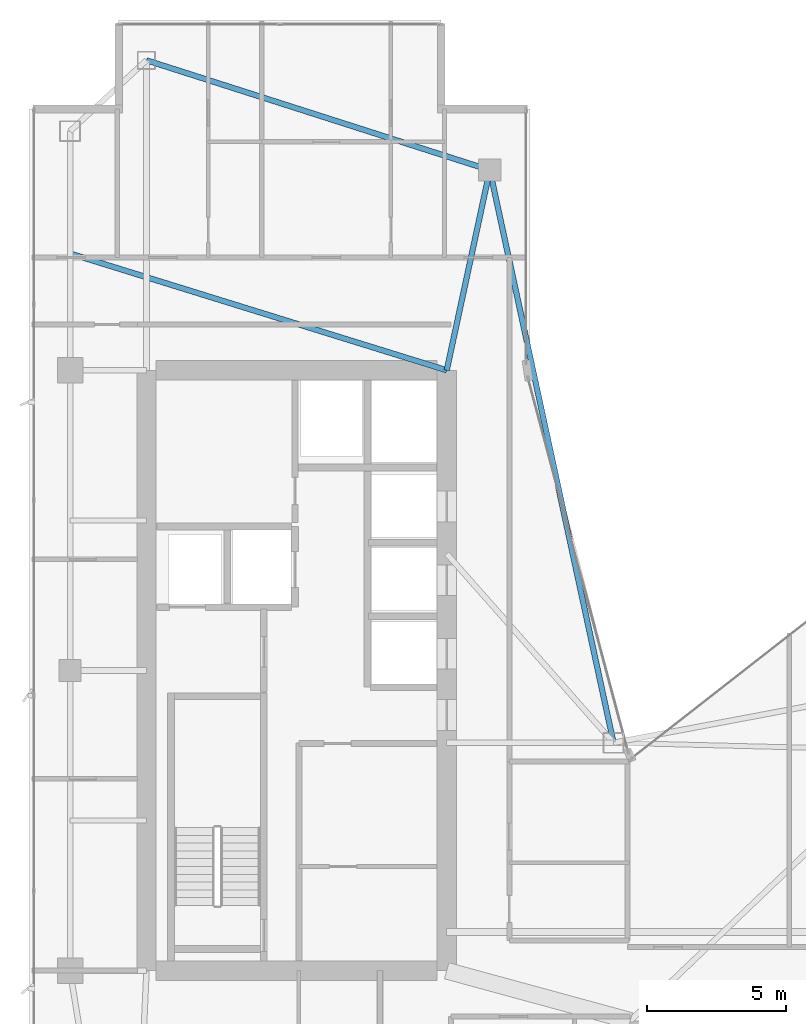
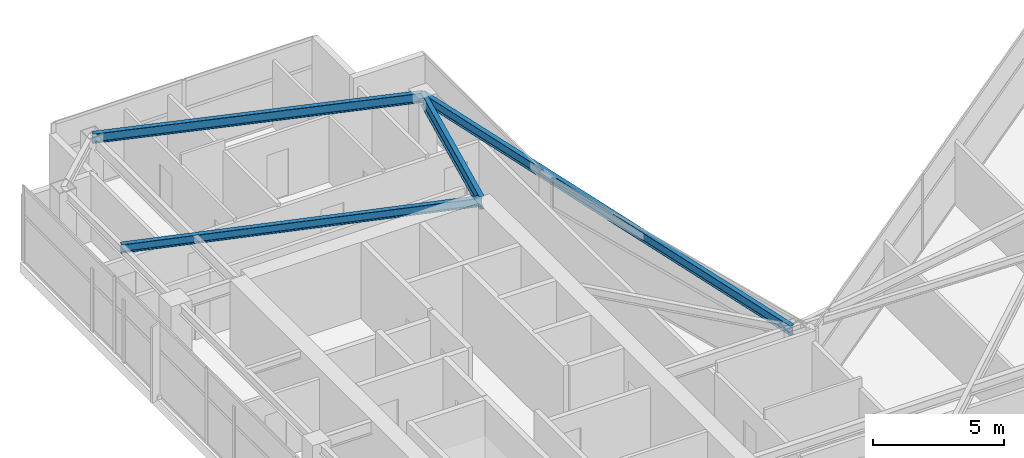
# One storey, part 18 of 29: 4 beams.
"""IFC4 building model written with IfcOpenShell, lengths in metres."""

from ifc_helpers import new_model, si_unit, direction, frame, origin, origin_2d, place, context, subcontext, project, spatial, i_section, extrude, material, material_profile, profile_set, type_object, element, save


model = new_model("IFC4")

# Units and contexts
model_context = context("Model", 3, precision=1e-05, world=origin(), true_north=direction((0.0, 1.0)))
body_context = subcontext(model_context, "Body", "Model", "MODEL_VIEW")
ifc_project = project(units=[si_unit("LENGTHUNIT", "METRE"), si_unit("AREAUNIT", "SQUARE_METRE"), si_unit("VOLUMEUNIT", "CUBIC_METRE"), si_unit("PLANEANGLEUNIT", "RADIAN"), si_unit("MASSUNIT", "GRAM", prefix="KILO")], contexts=[model_context])

# Site, building, storey
site_placement = place(None, origin())
site = spatial("IfcSite", under=ifc_project, at=site_placement, CompositionType="ELEMENT")
building_placement = place(site_placement, origin())
building = spatial("IfcBuilding", under=site, at=building_placement, Name="Calvorn Quay Hotel", CompositionType="ELEMENT")
storey_placement = place(building_placement, frame((0.0, 0.0, 199.60009765625)))
storey = spatial("IfcBuildingStorey", under=building, at=storey_placement, Name="L49", CompositionType="ELEMENT", Elevation=199.60009765625)

# Beams
ifc_material_1 = material(Name="Steel Q355B", Category="steel")
ifc_material_profile_1 = material_profile(ifc_material_1, i_section(OverallWidth=0.199951171875, OverallDepth=0.60009765625, WebThickness=0.010986328125, FlangeThickness=0.01708984375, FilletRadius=0.01806640625, at=origin_2d()), Name="HN600x200x11x17")
ifc_profile_set_1 = profile_set([ifc_material_profile_1], Name="Steel Q355B")
beam_type_1 = type_object("IfcBeamType", Name="BM-GIRD-TYP", PredefinedType="BEAM", material=ifc_profile_set_1)
beam_1_placement = place(storey_placement, frame((16.550048828125, 45.60009765625, 3.239990234375), z_axis=(-0.210457140491, -0.97760308511, 0.0), x_axis=(0.97760308511, -0.210457140491, 0.0)))
element("IfcBeam", 1, at=beam_1_placement, inside=storey, type_object=beam_type_1, Name="Beam BG-L49-W6", PredefinedType="BEAM", context=body_context, shape_type="SweptSolid", body=[
    extrude(i_section(OverallWidth=0.199951171875, OverallDepth=0.60009765625, WebThickness=0.010986328125, FlangeThickness=0.01708984375, FilletRadius=0.01806640625, at=origin_2d()), origin(), (0.0, 0.0, 1.0), 7.365234375),
])
ifc_material_2 = material(Name="Steel Q355B", Category="steel")
ifc_material_profile_2 = material_profile(ifc_material_2, i_section(OverallWidth=0.199951171875, OverallDepth=0.39990234375, WebThickness=0.008056640625, FlangeThickness=0.012939453125, FilletRadius=0.01611328125, at=origin_2d()), Name="HN400x200x8x13")
ifc_profile_set_2 = profile_set([ifc_material_profile_2], Name="Steel Q355B")
beam_type_2 = type_object("IfcBeamType", Name="BM-JOIST-TYP", PredefinedType="JOIST", material=ifc_profile_set_2)
beam_2_placement = place(storey_placement, frame((1.449951171875, 42.60009765625, 3.33984375), z_axis=(0.955163702122, -0.296078202759, 0.0), x_axis=(0.296078202759, 0.955163702122, 0.0)))
element("IfcBeam", 2, at=beam_2_placement, inside=storey, type_object=beam_type_2, Name="Beam BJ-L49-W2", PredefinedType="JOIST", context=body_context, shape_type="SweptSolid", body=[
    extrude(i_section(OverallWidth=0.199951171875, OverallDepth=0.39990234375, WebThickness=0.008056640625, FlangeThickness=0.012939453125, FilletRadius=0.01611328125, at=origin_2d()), origin(), (0.0, 0.0, 1.0), 14.18603515625),
])
ifc_material_3 = material(Name="Steel Q355B", Category="steel")
ifc_material_profile_3 = material_profile(ifc_material_3, i_section(OverallWidth=0.199951171875, OverallDepth=0.449951171875, WebThickness=0.009033203125, FlangeThickness=0.013916015625, FilletRadius=0.01611328125, at=origin_2d()), Name="HN450x200x9x14")
ifc_profile_set_3 = profile_set([ifc_material_profile_3], Name="Steel Q355B")
beam_type_3 = type_object("IfcBeamType", Name="BM-SPANDREL-Z3", PredefinedType="SPANDREL", material=ifc_profile_set_3)
beam_3_placement = place(storey_placement, frame((4.199951171875, 49.550048828125, 3.31494140625), z_axis=(0.952470702374, -0.304630203885, 0.0), x_axis=(0.304630203885, 0.952470702374, 0.0)))
element("IfcBeam", 3, at=beam_3_placement, inside=storey, type_object=beam_type_3, Name="Beam BSP-L49-W6", PredefinedType="SPANDREL", context=body_context, shape_type="SweptSolid", body=[
    extrude(i_section(OverallWidth=0.199951171875, OverallDepth=0.449951171875, WebThickness=0.009033203125, FlangeThickness=0.013916015625, FilletRadius=0.01611328125, at=origin_2d()), origin(), (0.0, 0.0, 1.0), 12.96630859375),
])
beam_4_placement = place(storey_placement, frame((16.550048828125, 45.60009765625, 3.31494140625), z_axis=(0.211145848376, -0.977454567084, 0.0), x_axis=(0.977454567084, 0.211145848376, 0.0)))
element("IfcBeam", 4, at=beam_4_placement, inside=storey, type_object=beam_type_3, Name="Beam BSP-L49-W7", PredefinedType="SPANDREL", context=body_context, shape_type="SweptSolid", body=[
    extrude(i_section(OverallWidth=0.199951171875, OverallDepth=0.449951171875, WebThickness=0.009033203125, FlangeThickness=0.013916015625, FilletRadius=0.01611328125, at=origin_2d()), origin(), (0.0, 0.0, 1.0), 21.0751953125),
])

save(model, "model.ifc")
